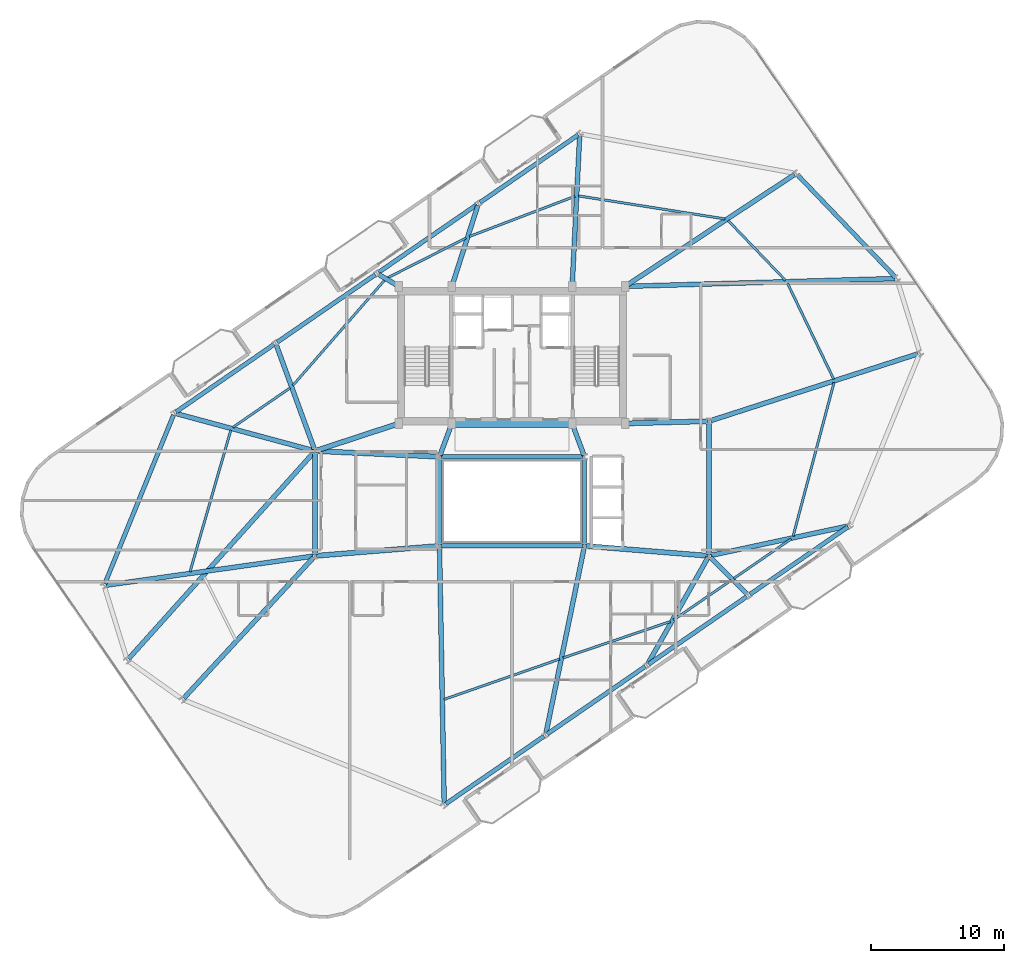
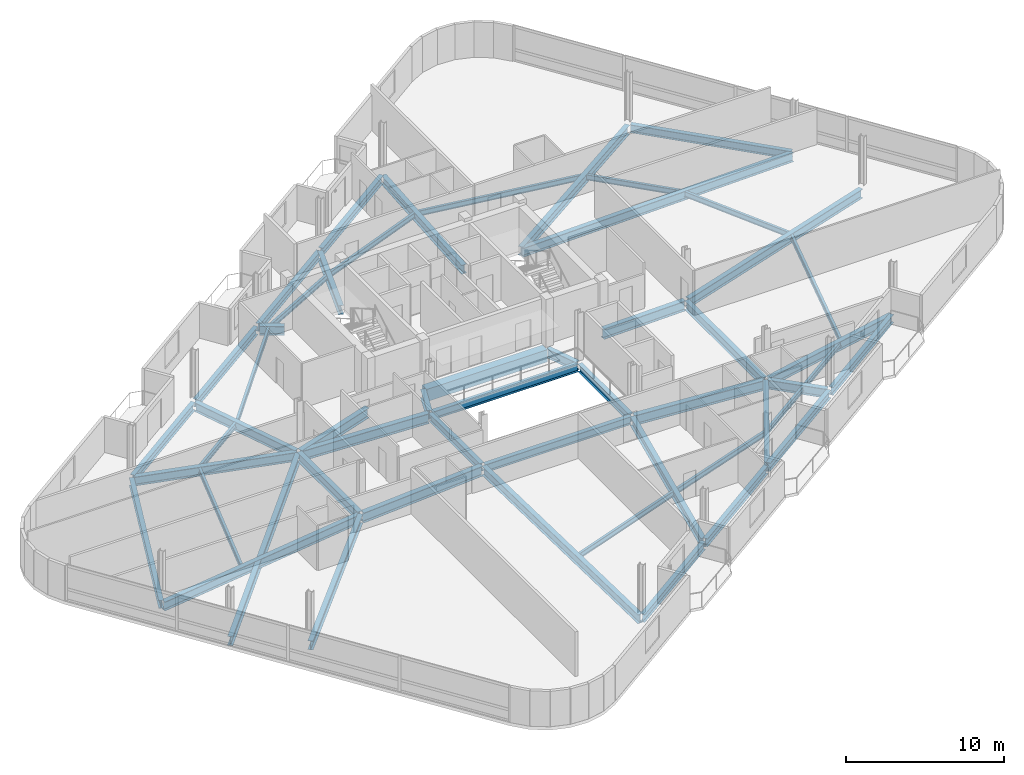
# One storey, part 7 of 21: 53 beams.
"""IFC4 building model written with IfcOpenShell, lengths in metres."""

from ifc_helpers import new_model, si_unit, direction, frame, origin, origin_2d, place, context, subcontext, project, spatial, rectangle, i_section, extrude, material, material_profile, profile_set, type_object, element, save


model = new_model("IFC4")

# Units and contexts
model_context = context("Model", 3, precision=1e-05, world=origin(), true_north=direction((0.0, 1.0)))
body_context = subcontext(model_context, "Body", "Model", "MODEL_VIEW")
ifc_project = project(units=[si_unit("LENGTHUNIT", "METRE"), si_unit("AREAUNIT", "SQUARE_METRE"), si_unit("VOLUMEUNIT", "CUBIC_METRE"), si_unit("PLANEANGLEUNIT", "RADIAN"), si_unit("MASSUNIT", "GRAM", prefix="KILO")], contexts=[model_context])

# Site, building, storey
site_placement = place(None, origin())
site = spatial("IfcSite", under=ifc_project, at=site_placement, CompositionType="ELEMENT")
building_placement = place(site_placement, origin())
building = spatial("IfcBuilding", under=site, at=building_placement, Name="Varnelok Gate Tower", CompositionType="ELEMENT")
storey_placement = place(building_placement, frame((0.0, 0.0, 276.699951171875)))
storey = spatial("IfcBuildingStorey", under=building, at=storey_placement, Name="L71", CompositionType="ELEMENT", Elevation=276.699951171875)

# Beams
ifc_material_1 = material(Name="Structural Steel ASTM A992 Grade 50", Category="steel")
ifc_material_profile_1 = material_profile(ifc_material_1, i_section(OverallWidth=0.180908203125, OverallDepth=0.4169921875, WebThickness=0.010986328125, FlangeThickness=0.018310546875, FilletRadius=0.013916015625, at=origin_2d()), Name="W16X57")
ifc_profile_set_1 = profile_set([ifc_material_profile_1], Name="Structural Steel ASTM A992 Grade 50")
beam_type_1 = type_object("IfcBeamType", Name="BM-JST-W16X57", PredefinedType="JOIST", material=ifc_profile_set_1)
beam_1_placement = place(storey_placement, frame((34.0947265625, 8.011962890625, -0.45849609375), z_axis=(0.944170416985, 0.329457468713, 0.0), x_axis=(-0.329457468713, 0.944170416985, 0.0)))
element("IfcBeam", 1, at=beam_1_placement, inside=storey, type_object=beam_type_1, Name="L71 Sector Floor Joist 1", PredefinedType="JOIST", context=body_context, shape_type="SweptSolid", body=[
    extrude(i_section(OverallWidth=0.180908203125, OverallDepth=0.4169921875, WebThickness=0.010986328125, FlangeThickness=0.018310546875, FilletRadius=0.013916015625, at=origin_2d()), origin(), (0.0, 0.0, 1.0), 9.1962890625),
])
beam_2_placement = place(storey_placement, frame((43.042236328125, 11.1328125, -0.45849609375), z_axis=(0.947127408854, 0.320857712075, 0.0), x_axis=(-0.320857712075, 0.947127408854, 0.0)))
element("IfcBeam", 2, at=beam_2_placement, inside=storey, type_object=beam_type_1, Name="L71 Sector Floor Joist 2", PredefinedType="JOIST", context=body_context, shape_type="SweptSolid", body=[
    extrude(i_section(OverallWidth=0.180908203125, OverallDepth=0.4169921875, WebThickness=0.010986328125, FlangeThickness=0.018310546875, FilletRadius=0.013916015625, at=origin_2d()), origin(), (0.0, 0.0, 1.0), 8.50390625),
])
for number, where, z_axis, x_axis, name in (
    (3, (51.34423828125, 13.985595703125, -0.45849609375), (0.823512453152, 0.567298192756, 0.0), (-0.567298192756, 0.823512453152, 0.0), "L71 Sector Floor Joist 3"),
    (4, (55.876708984375, 17.10791015625, -0.45849609375), (0.823549326959, 0.567244661557, 0.0), (-0.567244661557, 0.823549326959, 0.0), "L71 Sector Floor Joist 4"),
):
    element("IfcBeam", number, at=place(storey_placement, frame(where, z_axis=z_axis, x_axis=x_axis)), inside=storey, type_object=beam_type_1, Name=name, PredefinedType="JOIST", context=body_context, shape_type="SweptSolid", body=[
        extrude(i_section(OverallWidth=0.180908203125, OverallDepth=0.4169921875, WebThickness=0.010986328125, FlangeThickness=0.018310546875, FilletRadius=0.013916015625, at=origin_2d()), origin(), (0.0, 0.0, 1.0), 5.2236328125),
    ])
beam_3_placement = place(storey_placement, frame((60.329833984375, 20.285888671875, -0.45849609375), z_axis=(0.256998327168, 0.966411847937, 0.0), x_axis=(-0.966411847937, 0.256998327168, 0.0)))
element("IfcBeam", 5, at=beam_3_placement, inside=storey, type_object=beam_type_1, Name="L71 Sector Floor Joist 5", PredefinedType="JOIST", context=body_context, shape_type="SweptSolid", body=[
    extrude(i_section(OverallWidth=0.180908203125, OverallDepth=0.4169921875, WebThickness=0.010986328125, FlangeThickness=0.018310546875, FilletRadius=0.013916015625, at=origin_2d()), origin(), (0.0, 0.0, 1.0), 11.941162109375),
])
beam_4_placement = place(storey_placement, frame((63.3740234375, 32.08740234375, -0.45849609375), z_axis=(-0.434222069989, 0.900805858071, 0.0), x_axis=(-0.900805858071, -0.434222069989, 0.0)))
element("IfcBeam", 6, at=beam_4_placement, inside=storey, type_object=beam_type_1, Name="L71 Sector Floor Joist 6", PredefinedType="JOIST", context=body_context, shape_type="SweptSolid", body=[
    extrude(i_section(OverallWidth=0.180908203125, OverallDepth=0.4169921875, WebThickness=0.010986328125, FlangeThickness=0.018310546875, FilletRadius=0.013916015625, at=origin_2d()), origin(), (0.0, 0.0, 1.0), 7.981689453125),
])
beam_5_placement = place(storey_placement, frame((59.75048828125, 39.504638671875, -0.45849609375), z_axis=(-0.691823570561, 0.722066580875, 0.0), x_axis=(-0.722066580875, -0.691823570561, 0.0)))
element("IfcBeam", 7, at=beam_5_placement, inside=storey, type_object=beam_type_1, Name="L71 Sector Floor Joist 7", PredefinedType="JOIST", context=body_context, shape_type="SweptSolid", body=[
    extrude(i_section(OverallWidth=0.180908203125, OverallDepth=0.4169921875, WebThickness=0.010986328125, FlangeThickness=0.018310546875, FilletRadius=0.013916015625, at=origin_2d()), origin(), (0.0, 0.0, 1.0), 6.223876953125),
])
beam_6_placement = place(storey_placement, frame((55.209716796875, 44.12158203125, -0.45849609375), z_axis=(-0.987870886261, 0.155277532432, 0.0), x_axis=(-0.155277532432, -0.987870886261, 0.0)))
element("IfcBeam", 8, at=beam_6_placement, inside=storey, type_object=beam_type_1, Name="L71 Sector Floor Joist 8", PredefinedType="JOIST", context=body_context, shape_type="SweptSolid", body=[
    extrude(i_section(OverallWidth=0.180908203125, OverallDepth=0.4169921875, WebThickness=0.010986328125, FlangeThickness=0.018310546875, FilletRadius=0.013916015625, at=origin_2d()), origin(), (0.0, 0.0, 1.0), 11.14599609375),
])
beam_7_placement = place(storey_placement, frame((43.929931640625, 45.82421875, -0.45849609375), z_axis=(-0.934469964116, -0.356041972477, 0.0), x_axis=(0.356041972477, -0.934469964116, 0.0)))
element("IfcBeam", 9, at=beam_7_placement, inside=storey, type_object=beam_type_1, Name="L71 Sector Floor Joist 9", PredefinedType="JOIST", context=body_context, shape_type="SweptSolid", body=[
    extrude(i_section(OverallWidth=0.180908203125, OverallDepth=0.4169921875, WebThickness=0.010986328125, FlangeThickness=0.018310546875, FilletRadius=0.013916015625, at=origin_2d()), origin(), (0.0, 0.0, 1.0), 8.48828125),
])
beam_8_placement = place(storey_placement, frame((35.7421875, 42.688720703125, -0.45849609375), z_axis=(-0.891506208573, -0.453008476827, 0.0), x_axis=(0.453008476827, -0.891506208573, 0.0)))
element("IfcBeam", 10, at=beam_8_placement, inside=storey, type_object=beam_type_1, Name="L71 Sector Floor Joist 10", PredefinedType="JOIST", context=body_context, shape_type="SweptSolid", body=[
    extrude(i_section(OverallWidth=0.180908203125, OverallDepth=0.4169921875, WebThickness=0.010986328125, FlangeThickness=0.018310546875, FilletRadius=0.013916015625, at=origin_2d()), origin(), (0.0, 0.0, 1.0), 6.612060546875),
])
beam_9_placement = place(storey_placement, frame((29.630615234375, 39.5244140625, -0.45849609375), z_axis=(-0.656851082794, -0.754020327997, 0.0), x_axis=(0.754020327997, -0.656851082794, 0.0)))
element("IfcBeam", 11, at=beam_9_placement, inside=storey, type_object=beam_type_1, Name="L71 Sector Floor Joist 11", PredefinedType="JOIST", context=body_context, shape_type="SweptSolid", body=[
    extrude(i_section(OverallWidth=0.180908203125, OverallDepth=0.4169921875, WebThickness=0.010986328125, FlangeThickness=0.018310546875, FilletRadius=0.013916015625, at=origin_2d()), origin(), (0.0, 0.0, 1.0), 10.5048828125),
])
beam_10_placement = place(storey_placement, frame((22.523193359375, 31.418701171875, -0.45849609375), z_axis=(-0.823527493642, -0.567276358767, 0.0), x_axis=(0.567276358767, -0.823527493642, 0.0)))
element("IfcBeam", 12, at=beam_10_placement, inside=storey, type_object=beam_type_1, Name="L71 Sector Floor Joist 12", PredefinedType="JOIST", context=body_context, shape_type="SweptSolid", body=[
    extrude(i_section(OverallWidth=0.180908203125, OverallDepth=0.4169921875, WebThickness=0.010986328125, FlangeThickness=0.018310546875, FilletRadius=0.013916015625, at=origin_2d()), origin(), (0.0, 0.0, 1.0), 5.223876953125),
])
beam_11_placement = place(storey_placement, frame((18.0673828125, 28.241455078125, -0.45849609375), z_axis=(-0.276806590867, -0.960925653343, 0.0), x_axis=(0.960925653343, -0.276806590867, 0.0)))
element("IfcBeam", 13, at=beam_11_placement, inside=storey, type_object=beam_type_1, Name="L71 Sector Floor Joist 13", PredefinedType="JOIST", context=body_context, shape_type="SweptSolid", body=[
    extrude(i_section(OverallWidth=0.180908203125, OverallDepth=0.4169921875, WebThickness=0.010986328125, FlangeThickness=0.018310546875, FilletRadius=0.013916015625, at=origin_2d()), origin(), (0.0, 0.0, 1.0), 11.067138671875),
])
ifc_material_2 = material(Name="Concrete C60/75", Category="concrete")
ifc_material_profile_2 = material_profile(ifc_material_2, rectangle(XDim=0.60009765625, YDim=0.949951171875, at=origin_2d()), Name="RC950X600")
ifc_profile_set_2 = profile_set([ifc_material_profile_2], Name="Concrete C60/75")
beam_type_2 = type_object("IfcBeamType", Name="BM-LNT-RC950", PredefinedType="LINTEL", material=ifc_profile_set_2)
beam_12_placement = place(storey_placement, frame((34.800048828125, 28.75, -0.724853515625), z_axis=(1.0, 0.0, 0.0), x_axis=(0.0, 1.0, 0.0)))
element("IfcBeam", 14, at=beam_12_placement, inside=storey, type_object=beam_type_2, Name="L71 Core-Atrium Spine Beam 7", PredefinedType="LINTEL", context=body_context, shape_type="SweptSolid", body=[
    extrude(rectangle(XDim=0.60009765625, YDim=0.949951171875, at=origin_2d()), origin(), (0.0, 0.0, 1.0), 8.800048828125),
])
ifc_material_profile_3 = material_profile(ifc_material_1, i_section(OverallWidth=0.35498046875, OverallDepth=0.696044921875, WebThickness=0.015380859375, FlangeThickness=0.02490234375, FilletRadius=0.02001953125, at=origin_2d()), Name="W27X146")
ifc_profile_set_3 = profile_set([ifc_material_profile_3], Name="Structural Steel ASTM A992 Grade 50")
beam_type_3 = type_object("IfcBeamType", Name="BM-PRI-W27X146", PredefinedType="BEAM", material=ifc_profile_set_3)
for number, where, z_axis, x_axis, name in (
    (15, (33.791748046875, 26.362548828125, -0.597900390625), (0.348719329408, 0.937227202602, 0.0), (-0.937227202602, 0.348719329408, 0.0), "L71 Core-Atrium Spine Beam 12"),
    (16, (44.608154296875, 26.362548828125, -0.597900390625), (-0.348719329408, 0.937227202602, 0.0), (-0.937227202602, -0.348719329408, 0.0), "L71 Core-Atrium Spine Beam 13"),
):
    element("IfcBeam", number, at=place(storey_placement, frame(where, z_axis=z_axis, x_axis=x_axis)), inside=storey, type_object=beam_type_3, Name=name, PredefinedType="BEAM", context=body_context, shape_type="SweptSolid", body=[
        extrude(i_section(OverallWidth=0.35498046875, OverallDepth=0.696044921875, WebThickness=0.015380859375, FlangeThickness=0.02490234375, FilletRadius=0.02001953125, at=origin_2d()), origin(), (0.0, 0.0, 1.0), 2.42724609375),
    ])
beam_13_placement = place(storey_placement, frame((24.39990234375, 18.919921875, -0.597900390625), z_axis=(0.0, 1.0, 0.0), x_axis=(-1.0, 0.0, 0.0)))
element("IfcBeam", 17, at=beam_13_placement, inside=storey, type_object=beam_type_3, Name="L71 Core-Atrium Spine Beam 16", PredefinedType="BEAM", context=body_context, shape_type="SweptSolid", body=[
    extrude(i_section(OverallWidth=0.35498046875, OverallDepth=0.696044921875, WebThickness=0.015380859375, FlangeThickness=0.02490234375, FilletRadius=0.02001953125, at=origin_2d()), origin(), (0.0, 0.0, 1.0), 7.64013671875),
])
beam_14_placement = place(storey_placement, frame((54.0, 18.919921875, -0.597900390625), z_axis=(0.0, 1.0, 0.0), x_axis=(-1.0, 0.0, 0.0)))
element("IfcBeam", 18, at=beam_14_placement, inside=storey, type_object=beam_type_3, Name="L71 Core-Atrium Spine Beam 20", PredefinedType="BEAM", context=body_context, shape_type="SweptSolid", body=[
    extrude(i_section(OverallWidth=0.35498046875, OverallDepth=0.696044921875, WebThickness=0.015380859375, FlangeThickness=0.02490234375, FilletRadius=0.02001953125, at=origin_2d()), origin(), (0.0, 0.0, 1.0), 9.880126953125),
])
beam_15_placement = place(storey_placement, frame((33.752685546875, 19.39990234375, -0.597900390625), z_axis=(0.018349623406, -0.999831631486, 0.0), x_axis=(0.999831631486, 0.018349623406, 0.0)))
element("IfcBeam", 19, at=beam_15_placement, inside=storey, type_object=beam_type_3, Name="L71 Radial Floor Girder 1", PredefinedType="BEAM", context=body_context, shape_type="SweptSolid", body=[
    extrude(i_section(OverallWidth=0.35498046875, OverallDepth=0.696044921875, WebThickness=0.015380859375, FlangeThickness=0.02490234375, FilletRadius=0.02001953125, at=origin_2d()), origin(), (0.0, 0.0, 1.0), 19.17236328125),
])
beam_16_placement = place(storey_placement, frame((44.619873046875, 19.403076171875, -0.597900390625), z_axis=(-0.201445575576, -0.979499709077, 0.0), x_axis=(0.979499709077, -0.201445575576, 0.0)))
element("IfcBeam", 20, at=beam_16_placement, inside=storey, type_object=beam_type_3, Name="L71 Radial Floor Girder 2", PredefinedType="BEAM", context=body_context, shape_type="SweptSolid", body=[
    extrude(i_section(OverallWidth=0.35498046875, OverallDepth=0.696044921875, WebThickness=0.015380859375, FlangeThickness=0.02490234375, FilletRadius=0.02001953125, at=origin_2d()), origin(), (0.0, 0.0, 1.0), 14.2197265625),
])
beam_17_placement = place(storey_placement, frame((53.926025390625, 18.66943359375, -0.597900390625), z_axis=(-0.49272782428, -0.870183481331, 0.0), x_axis=(0.870183481331, -0.49272782428, 0.0)))
element("IfcBeam", 21, at=beam_17_placement, inside=storey, type_object=beam_type_3, Name="L71 Radial Floor Girder 3", PredefinedType="BEAM", context=body_context, shape_type="SweptSolid", body=[
    extrude(i_section(OverallWidth=0.35498046875, OverallDepth=0.696044921875, WebThickness=0.015380859375, FlangeThickness=0.02490234375, FilletRadius=0.02001953125, at=origin_2d()), origin(), (0.0, 0.0, 1.0), 9.151611328125),
])
beam_18_placement = place(storey_placement, frame((54.105712890625, 18.693603515625, -0.597900390625), z_axis=(0.705068615511, -0.709139088911, 0.0), x_axis=(0.709139088911, 0.705068615511, 0.0)))
element("IfcBeam", 22, at=beam_18_placement, inside=storey, type_object=beam_type_3, Name="L71 Radial Floor Girder 4", PredefinedType="BEAM", context=body_context, shape_type="SweptSolid", body=[
    extrude(i_section(OverallWidth=0.35498046875, OverallDepth=0.696044921875, WebThickness=0.015380859375, FlangeThickness=0.02490234375, FilletRadius=0.02001953125, at=origin_2d()), origin(), (0.0, 0.0, 1.0), 3.898681640625),
])
beam_19_placement = place(storey_placement, frame((54.146728515625, 18.83154296875, -0.597900390625), z_axis=(0.977750075893, 0.209773184872, 0.0), x_axis=(-0.209773184872, 0.977750075893, 0.0)))
element("IfcBeam", 23, at=beam_19_placement, inside=storey, type_object=beam_type_3, Name="L71 Radial Floor Girder 5", PredefinedType="BEAM", context=body_context, shape_type="SweptSolid", body=[
    extrude(i_section(OverallWidth=0.35498046875, OverallDepth=0.696044921875, WebThickness=0.015380859375, FlangeThickness=0.02490234375, FilletRadius=0.02001953125, at=origin_2d()), origin(), (0.0, 0.0, 1.0), 10.518798828125),
])
beam_20_placement = place(storey_placement, frame((54.142822265625, 28.966064453125, -0.597900390625), z_axis=(0.95177048337, 0.306810930356, 0.0), x_axis=(-0.306810930356, 0.95177048337, 0.0)))
element("IfcBeam", 24, at=beam_20_placement, inside=storey, type_object=beam_type_3, Name="L71 Radial Floor Girder 6", PredefinedType="BEAM", context=body_context, shape_type="SweptSolid", body=[
    extrude(i_section(OverallWidth=0.35498046875, OverallDepth=0.696044921875, WebThickness=0.015380859375, FlangeThickness=0.02490234375, FilletRadius=0.02001953125, at=origin_2d()), origin(), (0.0, 0.0, 1.0), 16.3603515625),
])
beam_21_placement = place(storey_placement, frame((47.849853515625, 39.054443359375, -0.597900390625), z_axis=(0.999576755953, 0.029091389778, 0.0), x_axis=(-0.029091389778, 0.999576755953, 0.0)))
element("IfcBeam", 25, at=beam_21_placement, inside=storey, type_object=beam_type_3, Name="L71 Radial Floor Girder 7", PredefinedType="BEAM", context=body_context, shape_type="SweptSolid", body=[
    extrude(i_section(OverallWidth=0.35498046875, OverallDepth=0.696044921875, WebThickness=0.015380859375, FlangeThickness=0.02490234375, FilletRadius=0.02001953125, at=origin_2d()), origin(), (0.0, 0.0, 1.0), 20.12451171875),
])
beam_22_placement = place(storey_placement, frame((47.8251953125, 39.1328125, -0.597900390625), z_axis=(0.834499250809, 0.551009074697, 0.0), x_axis=(-0.551009074697, 0.834499250809, 0.0)))
element("IfcBeam", 26, at=beam_22_placement, inside=storey, type_object=beam_type_3, Name="L71 Radial Floor Girder 8", PredefinedType="BEAM", context=body_context, shape_type="SweptSolid", body=[
    extrude(i_section(OverallWidth=0.35498046875, OverallDepth=0.696044921875, WebThickness=0.015380859375, FlangeThickness=0.02490234375, FilletRadius=0.02001953125, at=origin_2d()), origin(), (0.0, 0.0, 1.0), 15.102783203125),
])
beam_23_placement = place(storey_placement, frame((43.7275390625, 39.19970703125, -0.597900390625), z_axis=(0.049860312634, 0.998756201094, 0.0), x_axis=(-0.998756201094, 0.049860312634, 0.0)))
element("IfcBeam", 27, at=beam_23_placement, inside=storey, type_object=beam_type_3, Name="L71 Radial Floor Girder 9", PredefinedType="BEAM", context=body_context, shape_type="SweptSolid", body=[
    extrude(i_section(OverallWidth=0.35498046875, OverallDepth=0.696044921875, WebThickness=0.015380859375, FlangeThickness=0.02490234375, FilletRadius=0.02001953125, at=origin_2d()), origin(), (0.0, 0.0, 1.0), 11.18359375),
])
beam_24_placement = place(storey_placement, frame((34.725830078125, 39.19287109375, -0.597900390625), z_axis=(0.305315663047, 0.952251198948, 0.0), x_axis=(-0.952251198948, 0.305315663047, 0.0)))
element("IfcBeam", 28, at=beam_24_placement, inside=storey, type_object=beam_type_3, Name="L71 Radial Floor Girder 10", PredefinedType="BEAM", context=body_context, shape_type="SweptSolid", body=[
    extrude(i_section(OverallWidth=0.35498046875, OverallDepth=0.696044921875, WebThickness=0.015380859375, FlangeThickness=0.02490234375, FilletRadius=0.02001953125, at=origin_2d()), origin(), (0.0, 0.0, 1.0), 6.23388671875),
])
beam_25_placement = place(storey_placement, frame((30.571044921875, 39.12646484375, -0.597900390625), z_axis=(-0.859971198292, 0.510342569367, 0.0), x_axis=(-0.510342569367, -0.859971198292, 0.0)))
element("IfcBeam", 29, at=beam_25_placement, inside=storey, type_object=beam_type_3, Name="L71 Radial Floor Girder 11", PredefinedType="BEAM", context=body_context, shape_type="SweptSolid", body=[
    extrude(i_section(OverallWidth=0.35498046875, OverallDepth=0.696044921875, WebThickness=0.015380859375, FlangeThickness=0.02490234375, FilletRadius=0.02001953125, at=origin_2d()), origin(), (0.0, 0.0, 1.0), 1.6103515625),
])
beam_26_placement = place(storey_placement, frame((24.348388671875, 26.82080078125, -0.597900390625), z_axis=(-0.343337291508, 0.939212172121, 0.0), x_axis=(-0.939212172121, -0.343337291508, 0.0)))
element("IfcBeam", 30, at=beam_26_placement, inside=storey, type_object=beam_type_3, Name="L71 Radial Floor Girder 12", PredefinedType="BEAM", context=body_context, shape_type="SweptSolid", body=[
    extrude(i_section(OverallWidth=0.35498046875, OverallDepth=0.696044921875, WebThickness=0.015380859375, FlangeThickness=0.02490234375, FilletRadius=0.02001953125, at=origin_2d()), origin(), (0.0, 0.0, 1.0), 8.32177734375),
])
beam_27_placement = place(storey_placement, frame((24.255126953125, 26.718994140625, -0.597900390625), z_axis=(-0.965561980059, 0.260173139782, 0.0), x_axis=(-0.260173139782, -0.965561980059, 0.0)))
element("IfcBeam", 31, at=beam_27_placement, inside=storey, type_object=beam_type_3, Name="L71 Radial Floor Girder 13", PredefinedType="BEAM", context=body_context, shape_type="SweptSolid", body=[
    extrude(i_section(OverallWidth=0.35498046875, OverallDepth=0.696044921875, WebThickness=0.015380859375, FlangeThickness=0.02490234375, FilletRadius=0.02001953125, at=origin_2d()), origin(), (0.0, 0.0, 1.0), 10.6552734375),
])
beam_28_placement = place(storey_placement, frame((24.25146484375, 18.779052734375, -0.597900390625), z_axis=(-0.990242546669, -0.139354579277, 0.0), x_axis=(0.139354579277, -0.990242546669, 0.0)))
element("IfcBeam", 32, at=beam_28_placement, inside=storey, type_object=beam_type_3, Name="L71 Radial Floor Girder 14", PredefinedType="BEAM", context=body_context, shape_type="SweptSolid", body=[
    extrude(i_section(OverallWidth=0.35498046875, OverallDepth=0.696044921875, WebThickness=0.015380859375, FlangeThickness=0.02490234375, FilletRadius=0.02001953125, at=origin_2d()), origin(), (0.0, 0.0, 1.0), 15.713134765625),
])
beam_29_placement = place(storey_placement, frame((24.2998046875, 26.568359375, -0.597900390625), z_axis=(-0.668020095308, -0.744143233702, 0.0), x_axis=(0.744143233702, -0.668020095308, 0.0)))
element("IfcBeam", 33, at=beam_29_placement, inside=storey, type_object=beam_type_3, Name="L71 Radial Floor Girder 15", PredefinedType="BEAM", context=body_context, shape_type="SweptSolid", body=[
    extrude(i_section(OverallWidth=0.35498046875, OverallDepth=0.696044921875, WebThickness=0.015380859375, FlangeThickness=0.02490234375, FilletRadius=0.02001953125, at=origin_2d()), origin(), (0.0, 0.0, 1.0), 20.83056640625),
])
beam_30_placement = place(storey_placement, frame((24.29833984375, 18.689697265625, -0.597900390625), z_axis=(-0.677969926739, -0.73508963973, 0.0), x_axis=(0.73508963973, -0.677969926739, 0.0)))
element("IfcBeam", 34, at=beam_30_placement, inside=storey, type_object=beam_type_3, Name="L71 Radial Floor Girder 16", PredefinedType="BEAM", context=body_context, shape_type="SweptSolid", body=[
    extrude(i_section(OverallWidth=0.35498046875, OverallDepth=0.696044921875, WebThickness=0.015380859375, FlangeThickness=0.02490234375, FilletRadius=0.02001953125, at=origin_2d()), origin(), (0.0, 0.0, 1.0), 14.386962890625),
])
ifc_material_profile_4 = material_profile(ifc_material_1, i_section(OverallWidth=0.381103515625, OverallDepth=0.77294921875, WebThickness=0.0166015625, FlangeThickness=0.027099609375, FilletRadius=0.02197265625, at=origin_2d()), Name="W30X173")
ifc_profile_set_4 = profile_set([ifc_material_profile_4], Name="Structural Steel ASTM A992 Grade 50")
beam_type_4 = type_object("IfcBeamType", Name="BM-PRI-W30X173", PredefinedType="BEAM", material=ifc_profile_set_4)
beam_31_placement = place(storey_placement, frame((24.51953125, 18.8095703125, -0.636474609375), z_axis=(0.996799206292, 0.07994587128, 0.0), x_axis=(-0.07994587128, 0.996799206292, 0.0)))
element("IfcBeam", 35, at=beam_31_placement, inside=storey, type_object=beam_type_4, Name="L71 Core-Atrium Spine Beam 14", PredefinedType="BEAM", context=body_context, shape_type="SweptSolid", body=[
    extrude(i_section(OverallWidth=0.381103515625, OverallDepth=0.77294921875, WebThickness=0.0166015625, FlangeThickness=0.027099609375, FilletRadius=0.02197265625, at=origin_2d()), origin(), (0.0, 0.0, 1.0), 9.14013671875),
])
beam_32_placement = place(storey_placement, frame((24.52001953125, 26.674560546875, -0.636474609375), z_axis=(0.99894427814, -0.045938319209, 0.0), x_axis=(0.045938319209, 0.99894427814, 0.0)))
element("IfcBeam", 36, at=beam_32_placement, inside=storey, type_object=beam_type_4, Name="L71 Core-Atrium Spine Beam 15", PredefinedType="BEAM", context=body_context, shape_type="SweptSolid", body=[
    extrude(i_section(OverallWidth=0.381103515625, OverallDepth=0.77294921875, WebThickness=0.0166015625, FlangeThickness=0.027099609375, FilletRadius=0.02197265625, at=origin_2d()), origin(), (0.0, 0.0, 1.0), 9.11962890625),
])
beam_33_placement = place(storey_placement, frame((24.513916015625, 26.717529296875, -0.636474609375), z_axis=(0.950041943788, 0.312122259768, 0.0), x_axis=(-0.312122259768, 0.950041943788, 0.0)))
element("IfcBeam", 37, at=beam_33_placement, inside=storey, type_object=beam_type_4, Name="L71 Core-Atrium Spine Beam 17", PredefinedType="BEAM", context=body_context, shape_type="SweptSolid", body=[
    extrude(i_section(OverallWidth=0.381103515625, OverallDepth=0.77294921875, WebThickness=0.0166015625, FlangeThickness=0.027099609375, FilletRadius=0.02197265625, at=origin_2d()), origin(), (0.0, 0.0, 1.0), 6.391357421875),
])
beam_34_placement = place(storey_placement, frame((44.76953125, 19.540283203125, -0.636474609375), z_axis=(0.996799206292, -0.07994587128, 0.0), x_axis=(0.07994587128, 0.996799206292, 0.0)))
element("IfcBeam", 38, at=beam_34_placement, inside=storey, type_object=beam_type_4, Name="L71 Core-Atrium Spine Beam 18", PredefinedType="BEAM", context=body_context, shape_type="SweptSolid", body=[
    extrude(i_section(OverallWidth=0.381103515625, OverallDepth=0.77294921875, WebThickness=0.0166015625, FlangeThickness=0.027099609375, FilletRadius=0.02197265625, at=origin_2d()), origin(), (0.0, 0.0, 1.0), 9.14013671875),
])
beam_35_placement = place(storey_placement, frame((47.820068359375, 28.753173828125, -0.636474609375), z_axis=(0.999635880609, 0.026983443053, 0.0), x_axis=(-0.026983443053, 0.999635880609, 0.0)))
element("IfcBeam", 39, at=beam_35_placement, inside=storey, type_object=beam_type_4, Name="L71 Core-Atrium Spine Beam 19", PredefinedType="BEAM", context=body_context, shape_type="SweptSolid", body=[
    extrude(i_section(OverallWidth=0.381103515625, OverallDepth=0.77294921875, WebThickness=0.0166015625, FlangeThickness=0.027099609375, FilletRadius=0.02197265625, at=origin_2d()), origin(), (0.0, 0.0, 1.0), 6.06201171875),
])
ifc_material_profile_5 = material_profile(ifc_material_1, i_section(OverallWidth=0.323974609375, OverallDepth=0.611083984375, WebThickness=0.0126953125, FlangeThickness=0.01904296875, FilletRadius=0.01806640625, at=origin_2d()), Name="W24X104")
ifc_profile_set_5 = profile_set([ifc_material_profile_5], Name="Structural Steel ASTM A992 Grade 50")
beam_type_5 = type_object("IfcBeamType", Name="BM-SPN-W24X104", PredefinedType="SPANDREL", material=ifc_profile_set_5)
for number, where, z_axis, x_axis, name in (
    (40, (33.8701171875, 19.550048828125, -0.555419921875), (1.0, 0.0, 0.0), (0.0, 1.0, 0.0), "L71 Core-Atrium Spine Beam 8"),
    (41, (33.8701171875, 26.25, -0.555419921875), (1.0, 0.0, 0.0), (0.0, 1.0, 0.0), "L71 Core-Atrium Spine Beam 9"),
):
    element("IfcBeam", number, at=place(storey_placement, frame(where, z_axis=z_axis, x_axis=x_axis)), inside=storey, type_object=beam_type_5, Name=name, PredefinedType="SPANDREL", context=body_context, shape_type="SweptSolid", body=[
        extrude(i_section(OverallWidth=0.323974609375, OverallDepth=0.611083984375, WebThickness=0.0126953125, FlangeThickness=0.01904296875, FilletRadius=0.01806640625, at=origin_2d()), origin(), (0.0, 0.0, 1.0), 10.659912109375),
    ])
for number, where, z_axis, x_axis, name in (
    (42, (33.75, 19.669921875, -0.555419921875), (0.0, 1.0, 0.0), (-1.0, 0.0, 0.0), "L71 Core-Atrium Spine Beam 10"),
    (43, (44.64990234375, 19.669921875, -0.555419921875), (0.0, 1.0, 0.0), (-1.0, 0.0, 0.0), "L71 Core-Atrium Spine Beam 11"),
):
    element("IfcBeam", number, at=place(storey_placement, frame(where, z_axis=z_axis, x_axis=x_axis)), inside=storey, type_object=beam_type_5, Name=name, PredefinedType="SPANDREL", context=body_context, shape_type="SweptSolid", body=[
        extrude(i_section(OverallWidth=0.323974609375, OverallDepth=0.611083984375, WebThickness=0.0126953125, FlangeThickness=0.01904296875, FilletRadius=0.01806640625, at=origin_2d()), origin(), (0.0, 0.0, 1.0), 6.4599609375),
    ])
for number, where, z_axis, x_axis, name in (
    (44, (34.23095703125, 0.166015625, -0.555419921875), (0.823540167677, 0.567257959153, 0.0), (-0.567257959153, 0.823540167677, 0.0), "L71 Perimeter Spandrel Beam 1"),
    (45, (41.8486328125, 5.4130859375, -0.555419921875), (0.823540167677, 0.567257959153, 0.0), (-0.567257959153, 0.823540167677, 0.0), "L71 Perimeter Spandrel Beam 2"),
    (46, (49.46630859375, 10.660400390625, -0.555419921875), (0.823540167677, 0.567257959153, 0.0), (-0.567257959153, 0.823540167677, 0.0), "L71 Perimeter Spandrel Beam 3"),
    (47, (57.083984375, 15.90771484375, -0.555419921875), (0.823540167677, 0.567257959153, 0.0), (-0.567257959153, 0.823540167677, 0.0), "L71 Perimeter Spandrel Beam 4"),
):
    element("IfcBeam", number, at=place(storey_placement, frame(where, z_axis=z_axis, x_axis=x_axis)), inside=storey, type_object=beam_type_5, Name=name, PredefinedType="SPANDREL", context=body_context, shape_type="SweptSolid", body=[
        extrude(i_section(OverallWidth=0.323974609375, OverallDepth=0.611083984375, WebThickness=0.0126953125, FlangeThickness=0.01904296875, FilletRadius=0.01806640625, at=origin_2d()), origin(), (0.0, 0.0, 1.0), 8.949951171875),
    ])
beam_36_placement = place(storey_placement, frame((68.01171875, 39.75244140625, -0.555419921875), z_axis=(-0.691775667186, 0.722112474819, 0.0), x_axis=(-0.722112474819, -0.691775667186, 0.0)))
element("IfcBeam", 48, at=beam_36_placement, inside=storey, type_object=beam_type_5, Name="L71 Perimeter Spandrel Beam 7", PredefinedType="SPANDREL", context=body_context, shape_type="SweptSolid", body=[
    extrude(i_section(OverallWidth=0.323974609375, OverallDepth=0.611083984375, WebThickness=0.0126953125, FlangeThickness=0.01904296875, FilletRadius=0.01806640625, at=origin_2d()), origin(), (0.0, 0.0, 1.0), 10.630859375),
])
for number, where, z_axis, x_axis, name in (
    (49, (44.169189453125, 50.43408203125, -0.555419921875), (-0.823548945124, -0.567245215921, 0.0), (0.567245215921, -0.823548945124, 0.0), "L71 Perimeter Spandrel Beam 9"),
    (50, (36.551513671875, 45.18701171875, -0.555419921875), (-0.823536202099, -0.567263716301, 0.0), (0.567263716301, -0.823536202099, 0.0), "L71 Perimeter Spandrel Beam 10"),
):
    element("IfcBeam", number, at=place(storey_placement, frame(where, z_axis=z_axis, x_axis=x_axis)), inside=storey, type_object=beam_type_5, Name=name, PredefinedType="SPANDREL", context=body_context, shape_type="SweptSolid", body=[
        extrude(i_section(OverallWidth=0.323974609375, OverallDepth=0.611083984375, WebThickness=0.0126953125, FlangeThickness=0.01904296875, FilletRadius=0.01806640625, at=origin_2d()), origin(), (0.0, 0.0, 1.0), 8.9501953125),
    ])
beam_37_placement = place(storey_placement, frame((28.93359375, 39.939697265625, -0.555419921875), z_axis=(-0.823527424215, -0.567276459555, 0.0), x_axis=(0.567276459555, -0.823527424215, 0.0)))
element("IfcBeam", 51, at=beam_37_placement, inside=storey, type_object=beam_type_5, Name="L71 Perimeter Spandrel Beam 11", PredefinedType="SPANDREL", context=body_context, shape_type="SweptSolid", body=[
    extrude(i_section(OverallWidth=0.323974609375, OverallDepth=0.611083984375, WebThickness=0.0126953125, FlangeThickness=0.01904296875, FilletRadius=0.01806640625, at=origin_2d()), origin(), (0.0, 0.0, 1.0), 8.949951171875),
])
beam_38_placement = place(storey_placement, frame((21.316162109375, 34.6923828125, -0.555419921875), z_axis=(-0.823548945124, -0.567245215921, 0.0), x_axis=(0.567245215921, -0.823548945124, 0.0)))
element("IfcBeam", 52, at=beam_38_placement, inside=storey, type_object=beam_type_5, Name="L71 Perimeter Spandrel Beam 12", PredefinedType="SPANDREL", context=body_context, shape_type="SweptSolid", body=[
    extrude(i_section(OverallWidth=0.323974609375, OverallDepth=0.611083984375, WebThickness=0.0126953125, FlangeThickness=0.01904296875, FilletRadius=0.01806640625, at=origin_2d()), origin(), (0.0, 0.0, 1.0), 8.9501953125),
])
beam_39_placement = place(storey_placement, frame((13.765380859375, 29.391357421875, -0.555419921875), z_axis=(-0.377174006677, -0.926142412746, 0.0), x_axis=(0.926142412746, -0.377174006677, 0.0)))
element("IfcBeam", 53, at=beam_39_placement, inside=storey, type_object=beam_type_5, Name="L71 Perimeter Spandrel Beam 13", PredefinedType="SPANDREL", context=body_context, shape_type="SweptSolid", body=[
    extrude(i_section(OverallWidth=0.323974609375, OverallDepth=0.611083984375, WebThickness=0.0126953125, FlangeThickness=0.01904296875, FilletRadius=0.01806640625, at=origin_2d()), origin(), (0.0, 0.0, 1.0), 13.6953125),
])

save(model, "model.ifc")
